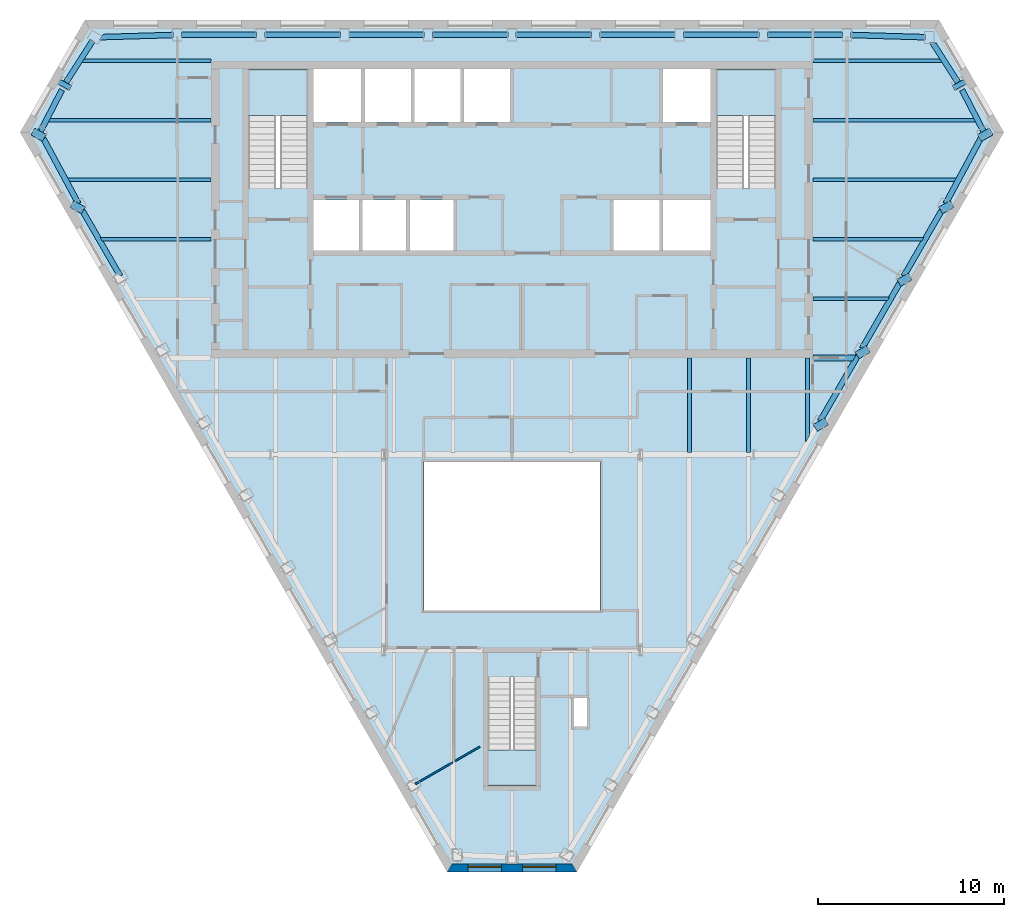
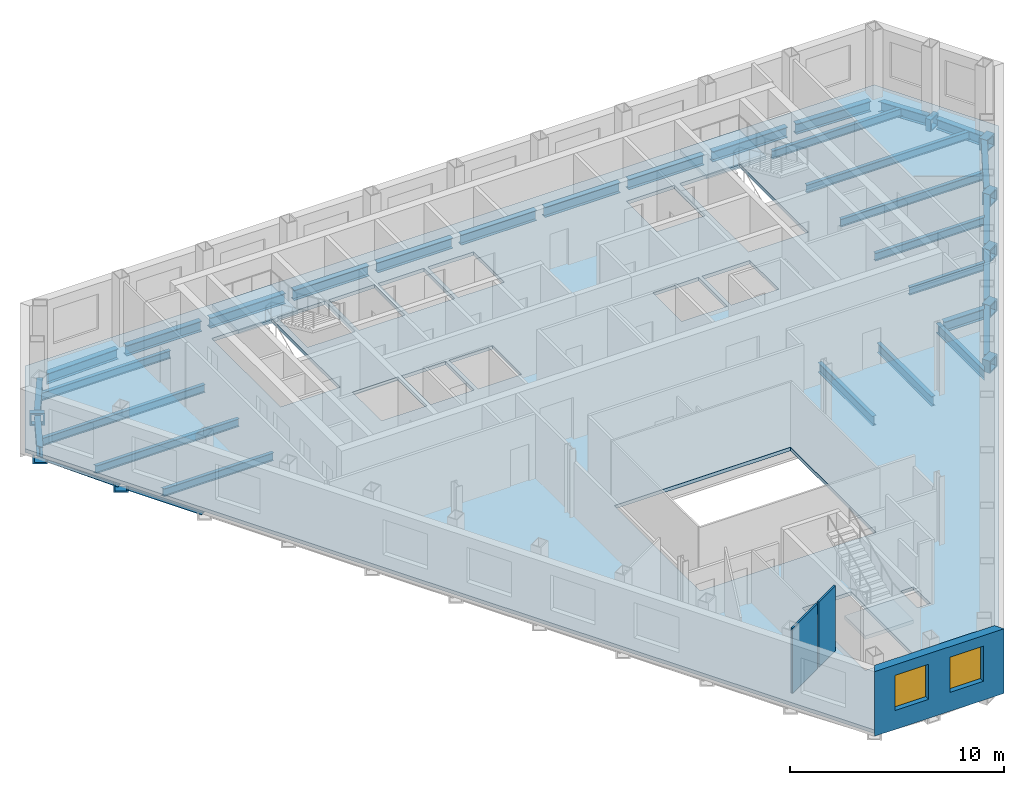
# One storey, part 3 of 11: 42 beams, 4 slabs, 3 walls, 2 windows, 2 openings, 3 elements without a shape of their own.
"""IFC4 building model written with IfcOpenShell, lengths in metres."""

from ifc_helpers import new_model, si_unit, direction, frame, frame_2d, origin, origin_2d, place, context, subcontext, project, spatial, polyline, rectangle, hollow_rectangle, i_section, outline, extrude, clip, halfspace, material, layer, layer_set, material_profile, profile_set, type_object, element, fill, aggregate, save


model = new_model("IFC4")

# Units and contexts
model_context = context("Model", 3, precision=1e-05, world=origin(), true_north=direction((0.0, 1.0)))
body_context = subcontext(model_context, "Body", "Model", "MODEL_VIEW")
ifc_project = project(units=[si_unit("LENGTHUNIT", "METRE"), si_unit("AREAUNIT", "SQUARE_METRE"), si_unit("VOLUMEUNIT", "CUBIC_METRE"), si_unit("PLANEANGLEUNIT", "RADIAN"), si_unit("MASSUNIT", "GRAM", prefix="KILO")], contexts=[model_context])

# Site, building, storey
site_placement = place(None, origin())
site = spatial("IfcSite", under=ifc_project, at=site_placement, CompositionType="ELEMENT")
building_placement = place(site_placement, origin())
building = spatial("IfcBuilding", under=site, at=building_placement, Name="Njiva Tower", CompositionType="ELEMENT")
storey_placement = place(building_placement, frame((0.0, 0.0, 216.0)))
storey = spatial("IfcBuildingStorey", under=building, at=storey_placement, Name="L48", CompositionType="ELEMENT", Elevation=216.0)

# Beams
ifc_material_1 = material(Name="Steel S355 J2", Category="steel")
ifc_material_profile_1 = material_profile(ifc_material_1, hollow_rectangle(XDim=0.7, YDim=0.7, WallThickness=0.08, at=origin_2d()), Name="BOX 700x700x80")
ifc_profile_set_1 = profile_set([ifc_material_profile_1], Name="Steel S355 J2")
beam_type_1 = type_object("IfcBeamType", Name="B19 Column jog beam BOX 700x700x80", PredefinedType="BEAM", material=ifc_profile_set_1)
beam_1_placement = place(storey_placement, frame((-24.159, 16.59, -0.55), z_axis=(0.477574500552, 0.878591256741, 0.0), x_axis=(-0.878591256741, 0.477574500552, 0.0)))
element("IfcBeam", 1, at=beam_1_placement, inside=storey, type_object=beam_type_1, Name="Column jog beam S16-B020", PredefinedType="BEAM", context=body_context, shape_type="SweptSolid", body=[
    extrude(hollow_rectangle(XDim=0.7, YDim=0.7, WallThickness=0.08, at=origin_2d()), origin(), (0.0, 0.0, 1.0), 0.2743),
])
for number, where, z_axis, x_axis, name in (
    (2, (-25.597, 13.835, -0.55), (0.488031691324, 0.872825909482, 0.0), (-0.872825909482, 0.488031691324, 0.0), "Column jog beam S16-B019"),
    (3, (-23.496, 9.931, -0.55), (0.488031691324, 0.872825909482, 0.0), (-0.872825909482, 0.488031691324, 0.0), "Column jog beam S16-B021"),
):
    element("IfcBeam", number, at=place(storey_placement, frame(where, z_axis=z_axis, x_axis=x_axis)), inside=storey, type_object=beam_type_1, Name=name, PredefinedType="BEAM", context=body_context, shape_type="SweptSolid", body=[
        extrude(hollow_rectangle(XDim=0.7, YDim=0.7, WallThickness=0.08, at=origin_2d()), origin(), (0.0, 0.0, 1.0), 0.4262),
    ])
for number, where, z_axis, x_axis, name in (
    (4, (16.736, -1.78, -0.55), (-0.498162050838, 0.867083946977, 0.0), (-0.867083946977, -0.498162050838, 0.0), "Column jog beam S16-B042"),
    (5, (18.99, 2.124, -0.55), (-0.498162050838, 0.867083946977, 0.0), (-0.867083946977, -0.498162050838, 0.0), "Column jog beam S16-B043"),
):
    element("IfcBeam", number, at=place(storey_placement, frame(where, z_axis=z_axis, x_axis=x_axis)), inside=storey, type_object=beam_type_1, Name=name, PredefinedType="BEAM", context=body_context, shape_type="SweptSolid", body=[
        extrude(hollow_rectangle(XDim=0.7, YDim=0.7, WallThickness=0.08, at=origin_2d()), origin(), (0.0, 0.0, 1.0), 0.4256),
    ])
beam_2_placement = place(storey_placement, frame((21.244, 6.027, -0.55), z_axis=(-0.49437165503, 0.869250635147, 0.0), x_axis=(-0.869250635147, -0.49437165503, 0.0)))
element("IfcBeam", 6, at=beam_2_placement, inside=storey, type_object=beam_type_1, Name="Column jog beam S16-B044", PredefinedType="BEAM", context=body_context, shape_type="SweptSolid", body=[
    extrude(hollow_rectangle(XDim=0.7, YDim=0.7, WallThickness=0.08, at=origin_2d()), origin(), (0.0, 0.0, 1.0), 0.4268),
])
for number, where, z_axis, x_axis, name in (
    (7, (23.496, 9.931, -0.55), (-0.488031691324, 0.872825909482, 0.0), (-0.872825909482, -0.488031691324, 0.0), "Column jog beam S16-B045"),
    (8, (25.597, 13.835, -0.55), (-0.488031691324, 0.872825909482, 0.0), (-0.872825909482, -0.488031691324, 0.0), "Column jog beam S16-B047"),
):
    element("IfcBeam", number, at=place(storey_placement, frame(where, z_axis=z_axis, x_axis=x_axis)), inside=storey, type_object=beam_type_1, Name=name, PredefinedType="BEAM", context=body_context, shape_type="SweptSolid", body=[
        extrude(hollow_rectangle(XDim=0.7, YDim=0.7, WallThickness=0.08, at=origin_2d()), origin(), (0.0, 0.0, 1.0), 0.4262),
    ])
beam_3_placement = place(storey_placement, frame((24.159, 16.59, -0.55), z_axis=(-0.477574500552, 0.878591256741, 0.0), x_axis=(-0.878591256741, -0.477574500552, 0.0)))
element("IfcBeam", 9, at=beam_3_placement, inside=storey, type_object=beam_type_1, Name="Column jog beam S16-B046", PredefinedType="BEAM", context=body_context, shape_type="SweptSolid", body=[
    extrude(hollow_rectangle(XDim=0.7, YDim=0.7, WallThickness=0.08, at=origin_2d()), origin(), (0.0, 0.0, 1.0), 0.2743),
])
ifc_material_profile_2 = material_profile(ifc_material_1, i_section(OverallWidth=0.3, OverallDepth=0.59, WebThickness=0.013, FlangeThickness=0.025, at=origin_2d()), Name="HEA 600")
ifc_profile_set_2 = profile_set([ifc_material_profile_2], Name="Steel S355 J2")
beam_type_2 = type_object("IfcBeamType", Name="B27 Short-span spandrel beam HEA 600", PredefinedType="SPANDREL", material=ifc_profile_set_2)
beam_4_placement = place(storey_placement, frame((22.232, 19.274, -0.495), z_axis=(-0.999551735133, 0.029938750687, 0.0), x_axis=(-0.029938750687, -0.999551735133, 0.0)))
element("IfcBeam", 10, at=beam_4_placement, inside=storey, type_object=beam_type_2, Name="Short-span spandrel beam S16-B126", PredefinedType="SPANDREL", context=body_context, shape_type="SweptSolid", body=[
    extrude(i_section(OverallWidth=0.3, OverallDepth=0.59, WebThickness=0.013, FlangeThickness=0.025, at=origin_2d()), origin(), (0.0, 0.0, 1.0), 3.9748),
])
beam_5_placement = place(storey_placement, frame((17.805, 19.4, -0.495), z_axis=(-1.0, 0.0, 0.0), x_axis=(0.0, -1.0, 0.0)))
element("IfcBeam", 11, at=beam_5_placement, inside=storey, type_object=beam_type_2, Name="Short-span spandrel beam S16-B121", PredefinedType="SPANDREL", context=body_context, shape_type="SweptSolid", body=[
    extrude(i_section(OverallWidth=0.3, OverallDepth=0.59, WebThickness=0.013, FlangeThickness=0.025, at=origin_2d()), origin(), (0.0, 0.0, 1.0), 4.057),
])
beam_6_placement = place(storey_placement, frame((13.298, 19.4, -0.495), z_axis=(-1.0, 0.0, 0.0), x_axis=(0.0, -1.0, 0.0)))
element("IfcBeam", 12, at=beam_6_placement, inside=storey, type_object=beam_type_2, Name="Short-span spandrel beam S16-B116", PredefinedType="SPANDREL", context=body_context, shape_type="SweptSolid", body=[
    extrude(i_section(OverallWidth=0.3, OverallDepth=0.59, WebThickness=0.013, FlangeThickness=0.025, at=origin_2d()), origin(), (0.0, 0.0, 1.0), 4.058),
])
beam_7_placement = place(storey_placement, frame((8.79, 19.4, -0.495), z_axis=(-1.0, 0.0, 0.0), x_axis=(0.0, -1.0, 0.0)))
element("IfcBeam", 13, at=beam_7_placement, inside=storey, type_object=beam_type_2, Name="Short-span spandrel beam S16-B111", PredefinedType="SPANDREL", context=body_context, shape_type="SweptSolid", body=[
    extrude(i_section(OverallWidth=0.3, OverallDepth=0.59, WebThickness=0.013, FlangeThickness=0.025, at=origin_2d()), origin(), (0.0, 0.0, 1.0), 4.057),
])
for number, where, z_axis, x_axis, name in (
    (14, (4.283, 19.4, -0.495), (-1.0, 0.0, 0.0), (0.0, -1.0, 0.0), "Short-span spandrel beam S16-B106"),
    (15, (-0.225, 19.4, -0.495), (-1.0, 0.0, 0.0), (0.0, -1.0, 0.0), "Short-span spandrel beam S16-B103"),
):
    element("IfcBeam", number, at=place(storey_placement, frame(where, z_axis=z_axis, x_axis=x_axis)), inside=storey, type_object=beam_type_2, Name=name, PredefinedType="SPANDREL", context=body_context, shape_type="SweptSolid", body=[
        extrude(i_section(OverallWidth=0.3, OverallDepth=0.59, WebThickness=0.013, FlangeThickness=0.025, at=origin_2d()), origin(), (0.0, 0.0, 1.0), 4.058),
    ])
beam_8_placement = place(storey_placement, frame((-4.733, 19.4, -0.495), z_axis=(-1.0, 0.0, 0.0), x_axis=(0.0, -1.0, 0.0)))
element("IfcBeam", 16, at=beam_8_placement, inside=storey, type_object=beam_type_2, Name="Short-span spandrel beam S16-B098", PredefinedType="SPANDREL", context=body_context, shape_type="SweptSolid", body=[
    extrude(i_section(OverallWidth=0.3, OverallDepth=0.59, WebThickness=0.013, FlangeThickness=0.025, at=origin_2d()), origin(), (0.0, 0.0, 1.0), 4.057),
])
beam_9_placement = place(storey_placement, frame((-9.24, 19.4, -0.495), z_axis=(-1.0, 0.0, 0.0), x_axis=(0.0, -1.0, 0.0)))
element("IfcBeam", 17, at=beam_9_placement, inside=storey, type_object=beam_type_2, Name="Short-span spandrel beam S16-B093", PredefinedType="SPANDREL", context=body_context, shape_type="SweptSolid", body=[
    extrude(i_section(OverallWidth=0.3, OverallDepth=0.59, WebThickness=0.013, FlangeThickness=0.025, at=origin_2d()), origin(), (0.0, 0.0, 1.0), 4.058),
])
beam_10_placement = place(storey_placement, frame((-13.748, 19.4, -0.495), z_axis=(-1.0, 0.0, 0.0), x_axis=(0.0, -1.0, 0.0)))
element("IfcBeam", 18, at=beam_10_placement, inside=storey, type_object=beam_type_2, Name="Short-span spandrel beam S16-B088", PredefinedType="SPANDREL", context=body_context, shape_type="SweptSolid", body=[
    extrude(i_section(OverallWidth=0.3, OverallDepth=0.59, WebThickness=0.013, FlangeThickness=0.025, at=origin_2d()), origin(), (0.0, 0.0, 1.0), 4.057),
])
beam_11_placement = place(storey_placement, frame((-18.259, 19.393, -0.495), z_axis=(-0.999553954446, -0.029864563461, 0.0), x_axis=(0.029864563461, -0.999553954446, 0.0)))
element("IfcBeam", 19, at=beam_11_placement, inside=storey, type_object=beam_type_2, Name="Short-span spandrel beam S16-B083", PredefinedType="SPANDREL", context=body_context, shape_type="Clipping", body=[
    clip(extrude(i_section(OverallWidth=0.3, OverallDepth=0.59, WebThickness=0.013, FlangeThickness=0.025, at=origin_2d()), origin(), (0.0, 0.0, 1.0), 3.9637), halfspace(frame((-0.0259, 0.0, 3.8349), z_axis=(-0.525638492844, 0.0, 0.850708043245), x_axis=(0.0, 1.0, 0.0)), False)),
])
beam_12_placement = place(storey_placement, frame((-22.589, 19.074, -0.495), z_axis=(-0.538560615351, -0.842586769178, 0.0), x_axis=(0.842586769178, -0.538560615351, 0.0)))
element("IfcBeam", 20, at=beam_12_placement, inside=storey, type_object=beam_type_2, Name="Short-span spandrel beam S16-B079", PredefinedType="SPANDREL", context=body_context, shape_type="SweptSolid", body=[
    extrude(i_section(OverallWidth=0.3, OverallDepth=0.59, WebThickness=0.013, FlangeThickness=0.025, at=origin_2d()), origin(), (0.0, 0.0, 1.0), 2.6478),
])
beam_13_placement = place(storey_placement, frame((-24.234, 16.437, -0.495), z_axis=(-0.460455718942, -0.887682674661, 0.0), x_axis=(0.887682674661, -0.460455718942, 0.0)))
element("IfcBeam", 21, at=beam_13_placement, inside=storey, type_object=beam_type_2, Name="Short-span spandrel beam S16-B075", PredefinedType="SPANDREL", context=body_context, shape_type="Clipping", body=[
    clip(extrude(i_section(OverallWidth=0.3, OverallDepth=0.59, WebThickness=0.013, FlangeThickness=0.025, at=origin_2d()), origin(), (0.0, 0.0, 1.0), 2.6439), halfspace(frame((-0.0268, 0.0, 2.5111), z_axis=(-0.538529823679, 0.0, 0.84260644966), x_axis=(0.0, 1.0, 0.0)), False)),
])
beam_14_placement = place(storey_placement, frame((-25.235, 13.815, -0.495), z_axis=(0.473859952257, -0.880600218968, 0.0), x_axis=(0.880600218968, 0.473859952257, 0.0)))
element("IfcBeam", 22, at=beam_14_placement, inside=storey, type_object=beam_type_2, Name="Short-span spandrel beam S16-B078", PredefinedType="SPANDREL", context=body_context, shape_type="SweptSolid", body=[
    extrude(i_section(OverallWidth=0.3, OverallDepth=0.59, WebThickness=0.013, FlangeThickness=0.025, at=origin_2d()), origin(), (0.0, 0.0, 1.0), 3.978),
])
for number, where, z_axis, x_axis, name in (
    (23, (-23.126, 9.92, -0.495), (0.500035331196, -0.866005004348, 0.0), (0.866005004348, 0.500035331196, 0.0), "Short-span spandrel beam S16-B082"),
    (24, (16.59, -1.401, -0.495), (0.500035331196, 0.866005004348, 0.0), (-0.866005004348, 0.500035331196, 0.0), "Short-span spandrel beam S16-B124"),
):
    element("IfcBeam", number, at=place(storey_placement, frame(where, z_axis=z_axis, x_axis=x_axis)), inside=storey, type_object=beam_type_2, Name=name, PredefinedType="SPANDREL", context=body_context, shape_type="SweptSolid", body=[
        extrude(i_section(OverallWidth=0.3, OverallDepth=0.59, WebThickness=0.013, FlangeThickness=0.025, at=origin_2d()), origin(), (0.0, 0.0, 1.0), 4.0577),
    ])
beam_15_placement = place(storey_placement, frame((18.844, 2.503, -0.495), z_axis=(0.499957196903, 0.866050114754, 0.0), x_axis=(-0.866050114754, 0.499957196903, 0.0)))
element("IfcBeam", 25, at=beam_15_placement, inside=storey, type_object=beam_type_2, Name="Short-span spandrel beam S16-B128", PredefinedType="SPANDREL", context=body_context, shape_type="SweptSolid", body=[
    extrude(i_section(OverallWidth=0.3, OverallDepth=0.59, WebThickness=0.013, FlangeThickness=0.025, at=origin_2d()), origin(), (0.0, 0.0, 1.0), 4.0563),
])
beam_16_placement = place(storey_placement, frame((21.097, 6.406, -0.495), z_axis=(0.500035331196, 0.866005004348, 0.0), x_axis=(-0.866005004348, 0.500035331196, 0.0)))
element("IfcBeam", 26, at=beam_16_placement, inside=storey, type_object=beam_type_2, Name="Short-span spandrel beam S16-B130", PredefinedType="SPANDREL", context=body_context, shape_type="SweptSolid", body=[
    extrude(i_section(OverallWidth=0.3, OverallDepth=0.59, WebThickness=0.013, FlangeThickness=0.025, at=origin_2d()), origin(), (0.0, 0.0, 1.0), 4.0577),
])
beam_17_placement = place(storey_placement, frame((23.35, 10.312, -0.495), z_axis=(0.473867510295, 0.880596151869, 0.0), x_axis=(-0.880596151869, 0.473867510295, 0.0)))
element("IfcBeam", 27, at=beam_17_placement, inside=storey, type_object=beam_type_2, Name="Short-span spandrel beam S16-B134", PredefinedType="SPANDREL", context=body_context, shape_type="SweptSolid", body=[
    extrude(i_section(OverallWidth=0.3, OverallDepth=0.59, WebThickness=0.013, FlangeThickness=0.025, at=origin_2d()), origin(), (0.0, 0.0, 1.0), 4.3641),
])
beam_18_placement = place(storey_placement, frame((25.418, 14.155, -0.495), z_axis=(-0.460544225622, 0.887636759179, 0.0), x_axis=(-0.887636759179, -0.460544225622, 0.0)))
element("IfcBeam", 28, at=beam_18_placement, inside=storey, type_object=beam_type_2, Name="Short-span spandrel beam S16-B137", PredefinedType="SPANDREL", context=body_context, shape_type="SweptSolid", body=[
    extrude(i_section(OverallWidth=0.3, OverallDepth=0.59, WebThickness=0.013, FlangeThickness=0.025, at=origin_2d()), origin(), (0.0, 0.0, 1.0), 2.5709),
])
beam_19_placement = place(storey_placement, frame((24.015, 16.843, -0.495), z_axis=(-0.538389277102, 0.842696259812, 0.0), x_axis=(-0.842696259812, -0.538389277102, 0.0)))
element("IfcBeam", 29, at=beam_19_placement, inside=storey, type_object=beam_type_2, Name="Short-span spandrel beam S16-B133", PredefinedType="SPANDREL", context=body_context, shape_type="Clipping", body=[
    clip(extrude(i_section(OverallWidth=0.3, OverallDepth=0.59, WebThickness=0.013, FlangeThickness=0.025, at=origin_2d()), origin(), (0.0, 0.0, 1.0), 2.6365), halfspace(frame((-0.0269, 0.0, 2.5033), z_axis=(-0.538389277102, 0.0, 0.842696259812), x_axis=(0.0, 1.0, 0.0)), False)),
])
ifc_material_profile_3 = material_profile(ifc_material_1, i_section(OverallWidth=0.3, OverallDepth=0.59, WebThickness=0.013, FlangeThickness=0.025, at=origin_2d()), Name="HEA 600")
ifc_profile_set_3 = profile_set([ifc_material_profile_3], Name="Steel S355 J2")
beam_type_3 = type_object("IfcBeamType", Name="B29 Short-span floor girder HEA 600", PredefinedType="BEAM", material=ifc_profile_set_3)
beam_20_placement = place(storey_placement, frame((16.2, 2.0, -0.495), z_axis=(1.0, 0.0, 0.0), x_axis=(0.0, 1.0, 0.0)))
element("IfcBeam", 30, at=beam_20_placement, inside=storey, type_object=beam_type_3, Name="Short-span floor girder S16-B018", PredefinedType="BEAM", context=body_context, shape_type="Clipping", body=[
    clip(extrude(i_section(OverallWidth=0.3, OverallDepth=0.59, WebThickness=0.013, FlangeThickness=0.025, at=origin_2d()), origin(), (0.0, 0.0, 1.0), 2.345), halfspace(frame((-0.025, 0.0, 2.2236), z_axis=(-0.499998009787, 0.0, 0.866026552831), x_axis=(0.0, 1.0, 0.0)), False)),
])
ifc_material_profile_4 = material_profile(ifc_material_1, i_section(OverallWidth=0.21, OverallDepth=0.55, WebThickness=0.0111, FlangeThickness=0.0172, at=origin_2d()), Name="IPE 550")
ifc_profile_set_4 = profile_set([ifc_material_profile_4], Name="Steel S355 J2")
beam_type_4 = type_object("IfcBeamType", Name="B31 Short-span floor joist IPE 550", PredefinedType="JOIST", material=ifc_profile_set_4)
beam_21_placement = place(storey_placement, frame((15.917, 1.995, -0.475), z_axis=(0.0, -1.0, 0.0), x_axis=(1.0, 0.0, 0.0)))
element("IfcBeam", 31, at=beam_21_placement, inside=storey, type_object=beam_type_4, Name="Short-span floor joist S16-B068", PredefinedType="JOIST", context=body_context, shape_type="Clipping", body=[
    clip(extrude(i_section(OverallWidth=0.21, OverallDepth=0.55, WebThickness=0.0111, FlangeThickness=0.0172, at=origin_2d()), origin(), (0.0, 0.0, 1.0), 4.564), halfspace(frame((0.043, 0.0, 4.2871), z_axis=(0.866026552831, 0.0, 0.499998009787), x_axis=(0.0, 1.0, 0.0)), False)),
])
ifc_material_profile_5 = material_profile(ifc_material_1, i_section(OverallWidth=0.21, OverallDepth=0.55, WebThickness=0.0111, FlangeThickness=0.0172, at=origin_2d()), Name="IPE 550")
ifc_profile_set_5 = profile_set([ifc_material_profile_5], Name="Steel S355 J2")
beam_type_5 = type_object("IfcBeamType", Name="B32 Floor joist IPE 550", PredefinedType="JOIST", material=ifc_profile_set_5)
for number, where, z_axis, x_axis, name in (
    (32, (9.55, 1.995, -0.475), (0.0, -1.0, 0.0), (1.0, 0.0, 0.0), "Floor joist S16-B065"),
    (33, (12.733, 1.995, -0.475), (0.0, -1.0, 0.0), (1.0, 0.0, 0.0), "Floor joist S16-B067"),
):
    element("IfcBeam", number, at=place(storey_placement, frame(where, z_axis=z_axis, x_axis=x_axis)), inside=storey, type_object=beam_type_5, Name=name, PredefinedType="JOIST", context=body_context, shape_type="SweptSolid", body=[
        extrude(i_section(OverallWidth=0.21, OverallDepth=0.55, WebThickness=0.0111, FlangeThickness=0.0172, at=origin_2d()), origin(), (0.0, 0.0, 1.0), 5.095),
    ])
ifc_material_profile_6 = material_profile(ifc_material_1, i_section(OverallWidth=0.19, OverallDepth=0.45, WebThickness=0.0094, FlangeThickness=0.0146, at=origin_2d()), Name="IPE 450")
ifc_profile_set_6 = profile_set([ifc_material_profile_6], Name="Steel S355 J2")
beam_type_6 = type_object("IfcBeamType", Name="B37 Floor beam to the core IPE 450", PredefinedType="BEAM", material=ifc_profile_set_6)
beam_22_placement = place(storey_placement, frame((-22.208, 8.4, -0.425), z_axis=(1.0, 0.0, 0.0), x_axis=(0.0, 1.0, 0.0)))
element("IfcBeam", 34, at=beam_22_placement, inside=storey, type_object=beam_type_6, Name="Floor beam to the core S16-B004", PredefinedType="BEAM", context=body_context, shape_type="Clipping", body=[
    clip(extrude(i_section(OverallWidth=0.19, OverallDepth=0.45, WebThickness=0.0094, FlangeThickness=0.0146, at=origin_2d()), origin(), (0.0, 0.0, 1.0), 6.008), halfspace(frame((-0.025, 0.0, 0.0894), z_axis=(-0.499998009787, 0.0, -0.866026552831), x_axis=(0.0, -1.0, 0.0)), False)),
])
beam_23_placement = place(storey_placement, frame((16.2, 8.4, -0.425), z_axis=(1.0, 0.0, 0.0), x_axis=(0.0, 1.0, 0.0)))
element("IfcBeam", 35, at=beam_23_placement, inside=storey, type_object=beam_type_6, Name="Floor beam to the core S16-B007", PredefinedType="BEAM", context=body_context, shape_type="Clipping", body=[
    clip(extrude(i_section(OverallWidth=0.19, OverallDepth=0.45, WebThickness=0.0094, FlangeThickness=0.0146, at=origin_2d()), origin(), (0.0, 0.0, 1.0), 6.008), halfspace(frame((-0.025, 0.0, 5.9186), z_axis=(-0.499998009787, 0.0, 0.866026552831), x_axis=(0.0, 1.0, 0.0)), False)),
])
beam_24_placement = place(storey_placement, frame((-24.0, 11.6, -0.425), z_axis=(1.0, 0.0, 0.0), x_axis=(0.0, 1.0, 0.0)))
element("IfcBeam", 36, at=beam_24_placement, inside=storey, type_object=beam_type_6, Name="Floor beam to the core S16-B002", PredefinedType="BEAM", context=body_context, shape_type="Clipping", body=[
    clip(extrude(i_section(OverallWidth=0.19, OverallDepth=0.45, WebThickness=0.0094, FlangeThickness=0.0146, at=origin_2d()), origin(), (0.0, 0.0, 1.0), 7.8), halfspace(frame((-0.0237, 0.0, 0.0834), z_axis=(-0.473777178452, 0.0, -0.88064475538), x_axis=(0.0, -1.0, 0.0)), False)),
])
beam_25_placement = place(storey_placement, frame((16.2, 11.6, -0.425), z_axis=(1.0, 0.0, 0.0), x_axis=(0.0, 1.0, 0.0)))
element("IfcBeam", 37, at=beam_25_placement, inside=storey, type_object=beam_type_6, Name="Floor beam to the core S16-B008", PredefinedType="BEAM", context=body_context, shape_type="Clipping", body=[
    clip(extrude(i_section(OverallWidth=0.19, OverallDepth=0.45, WebThickness=0.0094, FlangeThickness=0.0146, at=origin_2d()), origin(), (0.0, 0.0, 1.0), 7.8), halfspace(frame((-0.0237, 0.0, 7.7166), z_axis=(-0.473777178452, 0.0, 0.88064475538), x_axis=(0.0, 1.0, 0.0)), False)),
])
beam_26_placement = place(storey_placement, frame((-25.039, 14.8, -0.425), z_axis=(1.0, 0.0, 0.0), x_axis=(0.0, 1.0, 0.0)))
element("IfcBeam", 38, at=beam_26_placement, inside=storey, type_object=beam_type_6, Name="Floor beam to the core S16-B001", PredefinedType="BEAM", context=body_context, shape_type="Clipping", body=[
    clip(extrude(i_section(OverallWidth=0.19, OverallDepth=0.45, WebThickness=0.0094, FlangeThickness=0.0146, at=origin_2d()), origin(), (0.0, 0.0, 1.0), 8.839), halfspace(frame((0.023, 0.0, 0.0806), z_axis=(0.460472152758, 0.0, -0.887674149975), x_axis=(0.0, -1.0, 0.0)), False)),
])
beam_27_placement = place(storey_placement, frame((16.2, 14.8, -0.425), z_axis=(1.0, 0.0, 0.0), x_axis=(0.0, 1.0, 0.0)))
element("IfcBeam", 39, at=beam_27_placement, inside=storey, type_object=beam_type_6, Name="Floor beam to the core S16-B009", PredefinedType="BEAM", context=body_context, shape_type="Clipping", body=[
    clip(extrude(i_section(OverallWidth=0.19, OverallDepth=0.45, WebThickness=0.0094, FlangeThickness=0.0146, at=origin_2d()), origin(), (0.0, 0.0, 1.0), 8.839), halfspace(frame((0.023, 0.0, 8.7584), z_axis=(0.460472152758, 0.0, 0.887674149975), x_axis=(0.0, 1.0, 0.0)), False)),
])
beam_28_placement = place(storey_placement, frame((-23.238, 18.0, -0.425), z_axis=(1.0, 0.0, 0.0), x_axis=(0.0, 1.0, 0.0)))
element("IfcBeam", 40, at=beam_28_placement, inside=storey, type_object=beam_type_6, Name="Floor beam to the core S16-B003", PredefinedType="BEAM", context=body_context, shape_type="Clipping", body=[
    clip(extrude(i_section(OverallWidth=0.19, OverallDepth=0.45, WebThickness=0.0094, FlangeThickness=0.0146, at=origin_2d()), origin(), (0.0, 0.0, 1.0), 7.038), halfspace(frame((0.0269, 0.0, 0.098), z_axis=(0.538509600291, 0.0, -0.842619374566), x_axis=(0.0, -1.0, 0.0)), False)),
])
beam_29_placement = place(storey_placement, frame((16.2, 18.0, -0.425), z_axis=(1.0, 0.0, 0.0), x_axis=(0.0, 1.0, 0.0)))
element("IfcBeam", 41, at=beam_29_placement, inside=storey, type_object=beam_type_6, Name="Floor beam to the core S16-B010", PredefinedType="BEAM", context=body_context, shape_type="Clipping", body=[
    clip(extrude(i_section(OverallWidth=0.19, OverallDepth=0.45, WebThickness=0.0094, FlangeThickness=0.0146, at=origin_2d()), origin(), (0.0, 0.0, 1.0), 7.038), halfspace(frame((0.0269, 0.0, 6.94), z_axis=(0.538509600291, 0.0, 0.842619374566), x_axis=(0.0, 1.0, 0.0)), False)),
])
ifc_material_profile_7 = material_profile(ifc_material_1, i_section(OverallWidth=0.19, OverallDepth=0.45, WebThickness=0.0094, FlangeThickness=0.0146, at=origin_2d()), Name="IPE 450")
ifc_profile_set_7 = profile_set([ifc_material_profile_7], Name="Steel S355 J2")
beam_type_7 = type_object("IfcBeamType", Name="B38 Short-span floor beam to the core IPE 450", PredefinedType="BEAM", material=ifc_profile_set_7)
beam_30_placement = place(storey_placement, frame((16.2, 5.2, -0.425), z_axis=(1.0, 0.0, 0.0), x_axis=(0.0, 1.0, 0.0)))
element("IfcBeam", 42, at=beam_30_placement, inside=storey, type_object=beam_type_7, Name="Short-span floor beam to the core S16-B006", PredefinedType="BEAM", context=body_context, shape_type="Clipping", body=[
    clip(extrude(i_section(OverallWidth=0.19, OverallDepth=0.45, WebThickness=0.0094, FlangeThickness=0.0146, at=origin_2d()), origin(), (0.0, 0.0, 1.0), 4.161), halfspace(frame((-0.025, 0.0, 4.0711), z_axis=(-0.499998009787, 0.0, 0.866026552831), x_axis=(0.0, 1.0, 0.0)), False)),
])

# Stair, slab
ifc_material_2 = material(Name="Concrete C40/50", Category="concrete")
stair_type_1 = type_object("IfcStairType", Name="ST4 Exit stair 1500", PredefinedType="HALF_TURN_STAIR", material=ifc_material_2)
stair_1_placement = place(storey_placement, origin())
stair_1 = element("IfcStair", 43, at=stair_1_placement, inside=storey, type_object=stair_type_1, Name="Stair A", PredefinedType="HALF_TURN_STAIR")
ifc_layer_1 = layer(ifc_material_2, 0.2)
ifc_layer_set_1 = layer_set([ifc_layer_1], Name="Concrete C40/50")
slab_type_1 = type_object("IfcSlabType", Name="FL9 Stair landing 200", PredefinedType="LANDING", material=ifc_layer_set_1)
slab_1_placement = place(storey_placement, frame((0.0, 0.0, 1.75)))
slab_1 = element("IfcSlab", 44, at=slab_1_placement, type_object=slab_type_1, Name="ST-A landing 1", PredefinedType="LANDING", context=body_context, shape_type="SweptSolid", body=[
    extrude(outline(polyline([(-14.206, 15.06), (-10.994, 15.06), (-10.994, 17.55), (-14.206, 17.55), (-14.206, 15.06)])), origin(), (0.0, 0.0, 1.0), 0.2),
])
aggregate(stair_1, [slab_1])

stair_2_placement = place(storey_placement, origin())
stair_2 = element("IfcStair", 45, at=stair_2_placement, inside=storey, type_object=stair_type_1, Name="Stair B", PredefinedType="HALF_TURN_STAIR")
slab_2_placement = place(storey_placement, frame((0.0, 0.0, 1.75)))
slab_2 = element("IfcSlab", 46, at=slab_2_placement, type_object=slab_type_1, Name="ST-B landing 1", PredefinedType="LANDING", context=body_context, shape_type="SweptSolid", body=[
    extrude(outline(polyline([(10.994, 15.06), (14.206, 15.06), (14.206, 17.55), (10.994, 17.55), (10.994, 15.06)])), origin(), (0.0, 0.0, 1.0), 0.2),
])
aggregate(stair_2, [slab_2])

stair_type_2 = type_object("IfcStairType", Name="ST1 Exit stair 1250", PredefinedType="HALF_TURN_STAIR", material=ifc_material_2)
stair_3_placement = place(storey_placement, origin())
stair_3 = element("IfcStair", 47, at=stair_3_placement, inside=storey, type_object=stair_type_2, Name="Stair C", PredefinedType="HALF_TURN_STAIR")
slab_3_placement = place(storey_placement, frame((0.0, 0.0, 1.75)))
slab_3 = element("IfcSlab", 48, at=slab_3_placement, type_object=slab_type_1, Name="ST-C landing 1", PredefinedType="LANDING", context=body_context, shape_type="SweptSolid", body=[
    extrude(outline(polyline([(-1.306, -21.05), (1.306, -21.05), (1.306, -19.12), (-1.306, -19.12), (-1.306, -21.05)])), origin(), (0.0, 0.0, 1.0), 0.2),
])
aggregate(stair_3, [slab_3])

# Slab
ifc_material_3 = material(Name="Concrete C30/37", Category="concrete")
ifc_layer_2 = layer(ifc_material_3, 0.2)
ifc_layer_set_2 = layer_set([ifc_layer_2], Name="Concrete C30/37")
slab_type_2 = type_object("IfcSlabType", Name="SL16 Composite floor slab 200", PredefinedType="FLOOR", material=ifc_layer_set_2)
slab_4_placement = place(storey_placement, frame((0.0, 0.0, -0.2)))
element("IfcSlab", 49, at=slab_4_placement, inside=storey, type_object=slab_type_2, Name="Floor slab L48", PredefinedType="FLOOR", context=body_context, shape_type="SweptSolid", body=[
    extrude(outline(polyline([(26.2352, 14.1551), (3.3601, -25.4657), (-3.3601, -25.4657), (-26.2352, 14.1551), (-22.8751, 19.975), (22.8751, 19.975), (26.2352, 14.1551)]), holes=[polyline([(10.994, 11.13), (14.206, 11.13), (14.206, 17.55), (10.994, 17.55), (10.994, 11.13)]), polyline([(8.125, 14.7), (10.7, 14.7), (10.7, 17.55), (8.125, 17.55), (8.125, 14.7)]), polyline([(8.1333, 7.8), (10.7, 7.8), (10.7, 10.5), (8.1333, 10.5), (8.1333, 7.8)]), polyline([(5.4667, 7.8), (7.9333, 7.8), (7.9333, 10.5), (5.4667, 10.5), (5.4667, 7.8)]), polyline([(4.75, -11.6), (4.75, -3.6), (-4.75, -3.6), (-4.75, -11.6), (4.75, -11.6)]), polyline([(3.35, -17.85), (4.05, -17.85), (4.05, -16.3), (3.35, -16.3), (3.35, -17.85)]), polyline([(-1.306, -21.05), (1.306, -21.05), (1.306, -15.19), (-1.306, -15.19), (-1.306, -21.05)]), polyline([(-2.575, 14.7), (-0.1, 14.7), (-0.1, 17.55), (-2.575, 17.55), (-2.575, 14.7)]), polyline([(-5.25, 14.7), (-2.775, 14.7), (-2.775, 17.55), (-5.25, 17.55), (-5.25, 14.7)]), polyline([(-5.5, 7.8), (-3.15, 7.8), (-3.15, 10.5), (-5.5, 10.5), (-5.5, 7.8)]), polyline([(-7.925, 14.7), (-5.45, 14.7), (-5.45, 17.55), (-7.925, 17.55), (-7.925, 14.7)]), polyline([(-8.05, 7.8), (-5.7, 7.8), (-5.7, 10.5), (-8.05, 10.5), (-8.05, 7.8)]), polyline([(-10.7, 14.7), (-8.125, 14.7), (-8.125, 17.55), (-10.7, 17.55), (-10.7, 14.7)]), polyline([(-8.25, 7.8), (-8.25, 10.5), (-10.7, 10.5), (-10.7, 7.8), (-8.25, 7.8)]), polyline([(-14.206, 11.13), (-10.994, 11.13), (-10.994, 17.55), (-14.206, 17.55), (-14.206, 11.13)])]), origin(), (0.0, 0.0, 1.0), 0.2),
])

# Walls
ifc_material_4 = material(Name="Gypsum board on steel studs", Category="gypsum")
ifc_layer_3 = layer(ifc_material_4, 0.1)
ifc_layer_set_3 = layer_set([ifc_layer_3], Name="Gypsum board on steel studs")
wall_type_1 = type_object("IfcWallType", Name="WT20 Gypsum partition 100", PredefinedType="PARTITIONING", material=ifc_layer_set_3)
wall_1_placement = place(storey_placement, frame((-5.195, -20.937, 0.0), z_axis=(0.0, 0.0, 1.0), x_axis=(0.866092546171, 0.499883687939, 0.0)))
element("IfcWall", 50, at=wall_1_placement, inside=storey, type_object=wall_type_1, Name="Partition S16-P011", PredefinedType="PARTITIONING", context=body_context, shape_type="SweptSolid", body=[
    extrude(rectangle(XDim=2.3265, YDim=0.1, at=frame_2d((1.1632, 0.0))), origin(), (0.0, 0.0, 1.0), 3.7),
])
wall_2_placement = place(storey_placement, frame((-3.068, -19.709, 0.0), z_axis=(0.0, 0.0, 1.0), x_axis=(0.866131897097, 0.499815502792, 0.0)))
element("IfcWall", 51, at=wall_2_placement, inside=storey, type_object=wall_type_1, Name="Partition S16-P015", PredefinedType="PARTITIONING", context=body_context, shape_type="SweptSolid", body=[
    extrude(rectangle(XDim=1.5506, YDim=0.1, at=frame_2d((0.7753, 0.0))), origin(), (0.0, 0.0, 1.0), 3.7),
])

# Wall, openings, windows
ifc_material_5 = material(Name="Brick masonry, buff", Category="masonry")
ifc_layer_4 = layer(ifc_material_5, 0.45)
ifc_layer_set_4 = layer_set([ifc_layer_4], Name="Brick masonry, buff")
wall_type_2 = type_object("IfcWallType", Name="WT94 Brick pier and spandrel wall 450, buff", PredefinedType="SOLIDWALL", material=ifc_layer_set_4)
wall_3_placement = place(storey_placement, frame((-3.3601, -25.4657, -0.18), z_axis=(0.0, 0.0, 1.0), x_axis=(1.0, 0.0, 0.0)))
wall_3 = element("IfcWall", 52, at=wall_3_placement, inside=storey, type_object=wall_type_2, Name="Facade wall S", PredefinedType="SOLIDWALL", context=body_context, shape_type="SweptSolid", body=[
    extrude(outline(polyline([(-0.1299, -0.225), (6.8501, -0.225), (6.5903, 0.225), (0.1299, 0.225), (-0.1299, -0.225)])), origin(), (0.0, 0.0, 1.0), 3.68),
])
opening_1_placement = place(wall_3_placement, frame((0.9844, 0.0, 1.08)))
opening_1 = element("IfcOpeningElement", 53, at=opening_1_placement, cuts=wall_3, Name="Opening S16-W20", PredefinedType="OPENING", context=body_context, shape_type="SweptSolid", body=[
    extrude(rectangle(XDim=1.8, YDim=2.0, at=frame_2d((0.9, 1.0))), frame((0.0, 0.235, 0.0), z_axis=(0.0, -1.0, 0.0), x_axis=(1.0, 0.0, 0.0)), (0.0, 0.0, 1.0), 0.47),
])
opening_2_placement = place(wall_3_placement, frame((3.9357, 0.0, 1.08)))
opening_2 = element("IfcOpeningElement", 54, at=opening_2_placement, cuts=wall_3, Name="Opening S16-W21", PredefinedType="OPENING", context=body_context, shape_type="SweptSolid", body=[
    extrude(rectangle(XDim=1.8, YDim=2.0, at=frame_2d((0.9, 1.0))), frame((0.0, 0.235, 0.0), z_axis=(0.0, -1.0, 0.0), x_axis=(1.0, 0.0, 0.0)), (0.0, 0.0, 1.0), 0.47),
])
ifc_material_6 = material(Name="Clear glazing in aluminium frame", Category="aluminium")
window_type = type_object("IfcWindowType", Name="W94 Deep-set window 1800x2000", PartitioningType="SINGLE_PANEL", PredefinedType="WINDOW", material=ifc_material_6)
window_1_placement = place(opening_1_placement, origin())
window_1 = element("IfcWindow", 55, at=window_1_placement, inside=storey, type_object=window_type, Name="Window", OverallHeight=2.0, OverallWidth=1.8, PartitioningType="SINGLE_PANEL", PredefinedType="WINDOW", context=body_context, shape_type="SweptSolid", body=[
    extrude(rectangle(XDim=1.8, YDim=2.0, at=frame_2d((0.9, 1.0))), frame((0.0, 0.105, 0.0), z_axis=(0.0, -1.0, 0.0), x_axis=(1.0, 0.0, 0.0)), (0.0, 0.0, 1.0), 0.06),
])
fill(opening_1, window_1)
window_2_placement = place(opening_2_placement, origin())
window_2 = element("IfcWindow", 56, at=window_2_placement, inside=storey, type_object=window_type, Name="Window", OverallHeight=2.0, OverallWidth=1.8, PartitioningType="SINGLE_PANEL", PredefinedType="WINDOW", context=body_context, shape_type="SweptSolid", body=[
    extrude(rectangle(XDim=1.8, YDim=2.0, at=frame_2d((0.9, 1.0))), frame((0.0, 0.105, 0.0), z_axis=(0.0, -1.0, 0.0), x_axis=(1.0, 0.0, 0.0)), (0.0, 0.0, 1.0), 0.06),
])
fill(opening_2, window_2)

save(model, "model.ifc")
